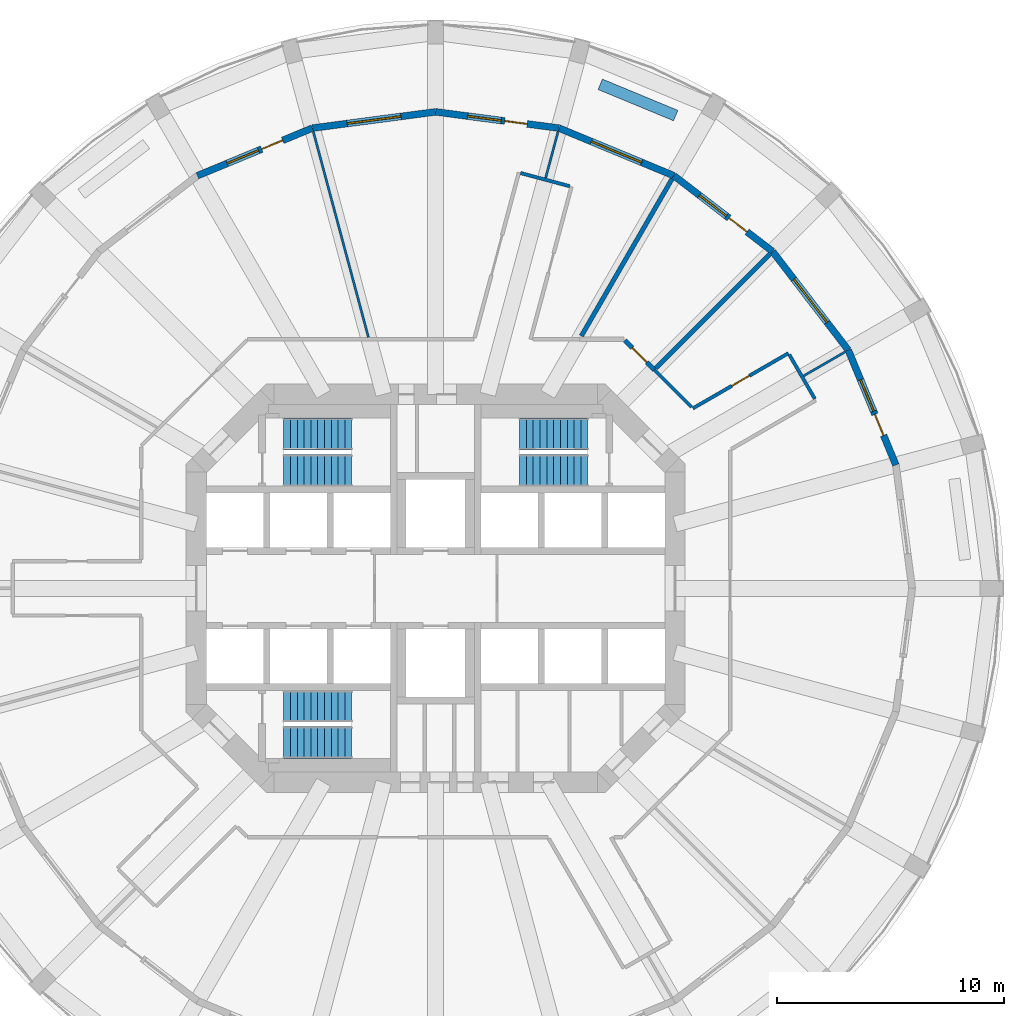
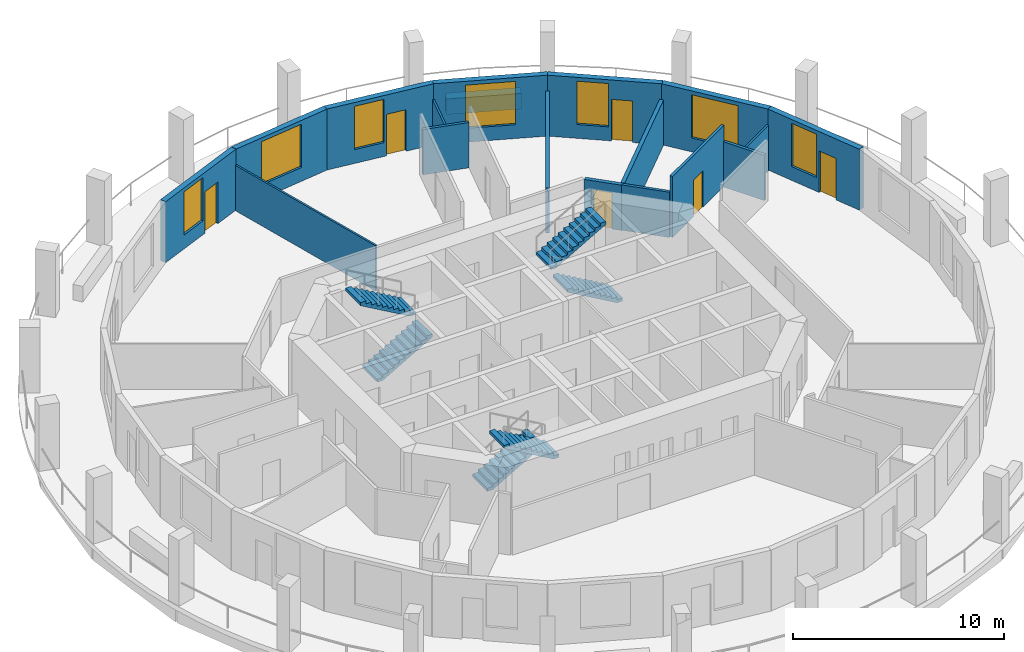
# One storey, part 6 of 8: 18 walls, 7 windows, 6 doors, 6 stair flights, 13 openings, 3 elements without a shape of their own.
"""IFC4 building model written with IfcOpenShell, lengths in metres."""

from ifc_helpers import new_model, si_unit, direction, frame, frame_2d, origin, place, context, subcontext, project, spatial, polyline, rectangle, outline, extrude, material, layer, layer_set, type_object, element, fill, aggregate, save


model = new_model("IFC4")

# Units and contexts
model_context = context("Model", 3, precision=1e-05, world=origin(), true_north=direction((0.0, 1.0)))
body_context = subcontext(model_context, "Body", "Model", "MODEL_VIEW")
ifc_project = project(units=[si_unit("LENGTHUNIT", "METRE"), si_unit("AREAUNIT", "SQUARE_METRE"), si_unit("VOLUMEUNIT", "CUBIC_METRE"), si_unit("PLANEANGLEUNIT", "RADIAN"), si_unit("MASSUNIT", "GRAM", prefix="KILO")], contexts=[model_context])

# Site, building, storey
site_placement = place(None, origin())
site = spatial("IfcSite", under=ifc_project, at=site_placement, CompositionType="ELEMENT")
building_placement = place(site_placement, origin())
building = spatial("IfcBuilding", under=site, at=building_placement, Name="Torre Triforio", CompositionType="ELEMENT")
storey_placement = place(building_placement, frame((0.0, 0.0, 142.800048828125)))
storey = spatial("IfcBuildingStorey", under=building, at=storey_placement, Name="L32", CompositionType="ELEMENT", Elevation=142.800048828125)

# Walls
ifc_material_1 = material(Name="Plasterboard on metal studs")
ifc_layer_1 = layer(ifc_material_1, 0.14990234375)
ifc_layer_set_1 = layer_set([ifc_layer_1], Name="Plasterboard on metal studs")
wall_type_1 = type_object("IfcWallType", Name="Corridor and tenancy wall 150 mm EI 60", PredefinedType="PARTITIONING", material=ifc_layer_set_1)
wall_1_placement = place(storey_placement, frame((3.739990234375, 18.304443359375, 0.0), z_axis=(0.0, 0.0, 1.0), x_axis=(0.965933522054, -0.25879032241, 0.0)))
element("IfcWall", 1, at=wall_1_placement, inside=storey, type_object=wall_type_1, Name="Partition 11", PredefinedType="PARTITIONING", context=body_context, shape_type="SweptSolid", body=[
    extrude(rectangle(XDim=2.25, YDim=0.14990234375, at=frame_2d((1.125, 0.0))), origin(), (0.0, 0.0, 1.0), 2.619873046875),
])
wall_2_placement = place(storey_placement, frame((9.6328125, 9.6328125, 0.0), z_axis=(0.0, 0.0, 1.0), x_axis=(0.707106781187, -0.707106781187, 0.0)))
element("IfcWall", 2, at=wall_2_placement, inside=storey, type_object=wall_type_1, Name="Partition 16", PredefinedType="PARTITIONING", context=body_context, shape_type="SweptSolid", body=[
    extrude(rectangle(XDim=2.33544921875, YDim=0.14990234375, at=frame_2d((1.167724609375, 0.0))), origin(), (0.0, 0.0, 1.0), 2.619873046875),
])

# Wall, opening, door
wall_3_placement = place(storey_placement, frame((11.335693359375, 7.930419921875, 0.0), z_axis=(0.0, 0.0, 1.0), x_axis=(0.866042731792, 0.49996998581, 0.0)))
wall_3 = element("IfcWall", 3, at=wall_3_placement, inside=storey, type_object=wall_type_1, Name="Partition 17", PredefinedType="PARTITIONING", context=body_context, shape_type="SweptSolid", body=[
    extrude(rectangle(XDim=4.866455078125, YDim=0.14990234375, at=frame_2d((2.43310546875, 0.0))), origin(), (0.0, 0.0, 1.0), 3.52001953125),
])
opening_1_placement = place(wall_3_placement, frame((1.9833984375, 0.0, 0.0)))
opening_1 = element("IfcOpeningElement", 4, at=opening_1_placement, cuts=wall_3, Name="Opening D3-10", PredefinedType="OPENING", context=body_context, shape_type="SweptSolid", body=[
    extrude(rectangle(XDim=0.89990234375, YDim=2.10009765625, at=frame_2d((0.449951171875, 1.050048828125))), frame((0.0, 0.0849609375, 0.0), z_axis=(0.0, -1.0, 0.0), x_axis=(1.0, 0.0, 0.0)), (0.0, 0.0, 1.0), 0.169921875),
])
ifc_material_2 = material(Name="Timber", Category="wood")
door_type_1 = type_object("IfcDoorType", Name="Door 900 x 2100 single leaf EI 30", OperationType="NOTDEFINED", PredefinedType="DOOR", material=ifc_material_2)
door_1_placement = place(opening_1_placement, origin())
door_1 = element("IfcDoor", 5, at=door_1_placement, inside=storey, type_object=door_type_1, Name="Door D3-10", OperationType="SINGLE_SWING_LEFT", OverallHeight=2.10009765625, OverallWidth=0.89990234375, PredefinedType="DOOR", context=body_context, shape_type="SweptSolid", body=[
    extrude(rectangle(XDim=0.89990234375, YDim=2.10009765625, at=frame_2d((0.449951171875, 1.050048828125))), frame((0.0, 0.02490234375, 0.0), z_axis=(0.0, -1.0, 0.0), x_axis=(1.0, 0.0, 0.0)), (0.0, 0.0, 1.0), 0.050048828125),
])
fill(opening_1, door_1)

# Walls
wall_4_placement = place(storey_placement, frame((15.587890625, 10.298583984375, 0.0), z_axis=(0.0, 0.0, 1.0), x_axis=(0.500013631625, -0.866017533419, 0.0)))
element("IfcWall", 6, at=wall_4_placement, inside=storey, type_object=wall_type_1, Name="Partition 18", PredefinedType="PARTITIONING", context=body_context, shape_type="SweptSolid", body=[
    extrude(rectangle(XDim=2.25, YDim=0.14990234375, at=frame_2d((1.125, 0.0))), origin(), (0.0, 0.0, 1.0), 2.619873046875),
])
ifc_layer_2 = layer(ifc_material_1, 0.10009765625)
ifc_layer_set_2 = layer_set([ifc_layer_2], Name="Plasterboard on metal studs")
wall_type_2 = type_object("IfcWallType", Name="Partition 100 mm board on metal studs", PredefinedType="PARTITIONING", material=ifc_layer_set_2)
wall_5_placement = place(storey_placement, frame((16.215087890625, 9.36181640625, 0.0), z_axis=(0.0, 0.0, 1.0), x_axis=(0.866016279763, 0.500015802937, 0.0)))
element("IfcWall", 7, at=wall_5_placement, inside=storey, type_object=wall_type_2, Name="Partition 30", PredefinedType="PARTITIONING", context=body_context, shape_type="SweptSolid", body=[
    extrude(rectangle(XDim=2.11328125, YDim=0.10009765625, at=frame_2d((1.056640625, 0.0))), origin(), (0.0, 0.0, 1.0), 2.619873046875),
])
wall_6_placement = place(storey_placement, frame((4.84619140625, 18.085693359375, 0.0), z_axis=(0.0, 0.0, 1.0), x_axis=(0.258705282257, 0.965956301772, 0.0)))
element("IfcWall", 8, at=wall_6_placement, inside=storey, type_object=wall_type_2, Name="Partition 33", PredefinedType="PARTITIONING", context=body_context, shape_type="SweptSolid", body=[
    extrude(rectangle(XDim=2.113037109375, YDim=0.10009765625, at=frame_2d((1.056640625, 0.0))), origin(), (0.0, 0.0, 1.0), 2.619873046875),
])
wall_7_placement = place(storey_placement, frame((-2.964599609375, 11.064208984375, 0.0), z_axis=(0.0, 0.0, 1.0), x_axis=(-0.258812392192, 0.965927608906, 0.0)))
element("IfcWall", 9, at=wall_7_placement, inside=storey, type_object=wall_type_2, Name="Partition 34", PredefinedType="PARTITIONING", context=body_context, shape_type="SweptSolid", body=[
    extrude(rectangle(XDim=9.382080078125, YDim=0.10009765625, at=frame_2d((4.69091796875, 0.0))), origin(), (0.0, 0.0, 1.0), 2.619873046875),
])

# Wall, opening, door
ifc_material_3 = material(Name="Masonry block", Category="masonry")
ifc_layer_3 = layer(ifc_material_3, 0.199951171875)
ifc_layer_set_3 = layer_set([ifc_layer_3], Name="Masonry block")
wall_type_3 = type_object("IfcWallType", Name="Plant room wall 200 mm block EI 120", PredefinedType="PARTITIONING", material=ifc_layer_set_3)
wall_8_placement = place(storey_placement, frame((8.34033203125, 10.925537109375, 0.0), z_axis=(0.0, 0.0, 1.0), x_axis=(0.707040000549, -0.707173555517, 0.0)))
wall_8 = element("IfcWall", 10, at=wall_8_placement, inside=storey, type_object=wall_type_3, Name="Partition 15", PredefinedType="PARTITIONING", context=body_context, shape_type="SweptSolid", body=[
    extrude(rectangle(XDim=1.828125, YDim=0.199951171875, at=frame_2d((0.9140625, 0.0))), origin(), (0.0, 0.0, 1.0), 2.619873046875),
])
opening_2_placement = place(wall_8_placement, frame((0.464111328125, 0.0, 0.0)))
opening_2 = element("IfcOpeningElement", 11, at=opening_2_placement, cuts=wall_8, Name="Opening D3-11", PredefinedType="OPENING", context=body_context, shape_type="SweptSolid", body=[
    extrude(rectangle(XDim=0.89990234375, YDim=2.10009765625, at=frame_2d((0.449951171875, 1.050048828125))), frame((0.0, 0.10986328125, 0.0), z_axis=(0.0, -1.0, 0.0), x_axis=(1.0, 0.0, 0.0)), (0.0, 0.0, 1.0), 0.219970703125),
])
ifc_material_4 = material(Name="Hollow metal fire door leaf")
door_type_2 = type_object("IfcDoorType", Name="Door 900 x 2100 single leaf EI 60", OperationType="NOTDEFINED", PredefinedType="DOOR", material=ifc_material_4)
door_2_placement = place(opening_2_placement, origin())
door_2 = element("IfcDoor", 12, at=door_2_placement, inside=storey, type_object=door_type_2, Name="Door D3-11", OperationType="SINGLE_SWING_LEFT", OverallHeight=2.10009765625, OverallWidth=0.89990234375, PredefinedType="DOOR", context=body_context, shape_type="SweptSolid", body=[
    extrude(rectangle(XDim=0.89990234375, YDim=2.10009765625, at=frame_2d((0.449951171875, 1.050048828125))), frame((0.0, 0.02490234375, 0.0), z_axis=(0.0, -1.0, 0.0), x_axis=(1.0, 0.0, 0.0)), (0.0, 0.0, 1.0), 0.050048828125),
])
fill(opening_2, door_2)

# Walls
wall_9_placement = place(storey_placement, frame((9.70361328125, 9.70361328125, 0.0), z_axis=(0.0, 0.0, 1.0), x_axis=(0.707106781187, 0.707106781187, 0.0)))
element("IfcWall", 13, at=wall_9_placement, inside=storey, type_object=wall_type_3, Name="Partition 31", PredefinedType="PARTITIONING", context=body_context, shape_type="SweptSolid", body=[
    extrude(rectangle(XDim=7.11376953125, YDim=0.199951171875, at=frame_2d((3.556884765625, 0.0))), origin(), (0.0, 0.0, 1.0), 2.619873046875),
])
wall_10_placement = place(storey_placement, frame((6.422607421875, 11.12451171875, 0.0), z_axis=(0.0, 0.0, 1.0), x_axis=(0.500019519773, 0.866014133745, 0.0)))
element("IfcWall", 14, at=wall_10_placement, inside=storey, type_object=wall_type_3, Name="Partition 32", PredefinedType="PARTITIONING", context=body_context, shape_type="SweptSolid", body=[
    extrude(rectangle(XDim=7.991455078125, YDim=0.199951171875, at=frame_2d((3.99560546875, 0.0))), origin(), (0.0, 0.0, 1.0), 2.619873046875),
])
ifc_material_5 = material(Name="Limestone cladding", Category="masonry")
ifc_layer_4 = layer(ifc_material_5, 0.10009765625)
ifc_material_6 = material(Name="Concrete C40", Category="concrete")
ifc_layer_5 = layer(ifc_material_6, 0.39990234375)
ifc_layer_set_4 = layer_set([ifc_layer_4, ifc_layer_5], Name="Limestone cladding / Concrete C40")
wall_type_4 = type_object("IfcWallType", Name="Planter wall 500", PredefinedType="PARAPET", material=ifc_layer_set_4)
wall_11_placement = place(storey_placement, frame((10.57958984375, 20.837646484375, 0.0), z_axis=(0.0, 0.0, 1.0), x_axis=(-0.923909393783, 0.382611332921, 0.0)))
element("IfcWall", 15, at=wall_11_placement, inside=storey, type_object=wall_type_4, Name="Planter L32 bay 05", PredefinedType="PARAPET", context=body_context, shape_type="SweptSolid", body=[
    extrude(rectangle(XDim=3.60009765625, YDim=0.5, at=frame_2d((1.800048828125, 0.0))), origin(), (0.0, 0.0, 1.0), 0.89990234375),
])

# Wall, openings, door, window
ifc_layer_6 = layer(ifc_material_5, 0.10009765625)
ifc_layer_7 = layer(ifc_material_6, 0.199951171875)
ifc_layer_set_5 = layer_set([ifc_layer_6, ifc_layer_7], Name="Limestone cladding / Concrete C40")
wall_type_5 = type_object("IfcWallType", Name="Stone-faced composite wall 300", PredefinedType="STANDARD", material=ifc_layer_set_5)
wall_12_placement = place(storey_placement, frame((20.284423828125, 5.435302734375, 0.0), z_axis=(0.0, 0.0, 1.0), x_axis=(-0.382688740813, 0.923877333662, 0.0)))
wall_12 = element("IfcWall", 16, at=wall_12_placement, inside=storey, type_object=wall_type_5, Name="External wall L32 bay 02", PredefinedType="STANDARD", context=body_context, shape_type="SweptSolid", body=[
    extrude(rectangle(XDim=5.48193359375, YDim=0.300048828125, at=frame_2d((2.740966796875, 0.0))), origin(), (0.0, 0.0, 1.0), 3.52001953125),
])
opening_3_placement = place(wall_12_placement, frame((1.416015625, 0.0, 0.0)))
opening_3 = element("IfcOpeningElement", 17, at=opening_3_placement, cuts=wall_12, Name="Opening D3-D02", PredefinedType="OPENING", context=body_context, shape_type="SweptSolid", body=[
    extrude(rectangle(XDim=1.0, YDim=2.39990234375, at=frame_2d((0.5, 1.199951171875))), frame((0.0, 0.159912109375, 0.0), z_axis=(0.0, -1.0, 0.0), x_axis=(1.0, 0.0, 0.0)), (0.0, 0.0, 1.0), 0.320068359375),
])
opening_4_placement = place(wall_12_placement, frame((2.566162109375, 0.0, 0.800048828125)))
opening_4 = element("IfcOpeningElement", 18, at=opening_4_placement, cuts=wall_12, Name="Opening D3-W02A", PredefinedType="OPENING", context=body_context, shape_type="SweptSolid", body=[
    extrude(rectangle(XDim=1.5, YDim=2.5, at=frame_2d((0.75, 1.25))), frame((0.0, 0.159912109375, 0.0), z_axis=(0.0, -1.0, 0.0), x_axis=(1.0, 0.0, 0.0)), (0.0, 0.0, 1.0), 0.320068359375),
])
ifc_material_7 = material(Name="Aluminium frame with clear double glazing", Category="aluminium")
door_type_3 = type_object("IfcDoorType", Name="Loggia door 1000 x 2400", OperationType="NOTDEFINED", PredefinedType="DOOR", material=ifc_material_7)
door_3_placement = place(opening_3_placement, origin())
door_3 = element("IfcDoor", 19, at=door_3_placement, inside=storey, type_object=door_type_3, Name="Loggia door L32 bay 02", OperationType="SINGLE_SWING_LEFT", OverallHeight=2.39990234375, OverallWidth=1.0, PredefinedType="DOOR", context=body_context, shape_type="SweptSolid", body=[
    extrude(rectangle(XDim=1.0, YDim=2.39990234375, at=frame_2d((0.5, 1.199951171875))), frame((0.0, 0.02490234375, 0.0), z_axis=(0.0, -1.0, 0.0), x_axis=(1.0, 0.0, 0.0)), (0.0, 0.0, 1.0), 0.050048828125),
])
fill(opening_3, door_3)
window_type_1 = type_object("IfcWindowType", Name="Side window 1500 x 2500", PartitioningType="SINGLE_PANEL", PredefinedType="WINDOW", material=ifc_material_7)
window_1_placement = place(opening_4_placement, origin())
window_1 = element("IfcWindow", 20, at=window_1_placement, inside=storey, type_object=window_type_1, Name="Side window EWN13 L32 bay 02", OverallHeight=2.5, OverallWidth=1.5, PartitioningType="SINGLE_PANEL", PredefinedType="WINDOW", context=body_context, shape_type="SweptSolid", body=[
    extrude(rectangle(XDim=1.5, YDim=2.5, at=frame_2d((0.75, 1.25))), frame((0.0, 0.030029296875, 0.0), z_axis=(0.0, -1.0, 0.0), x_axis=(1.0, 0.0, 0.0)), (0.0, 0.0, 1.0), 0.06005859375),
])
fill(opening_4, window_1)

# Wall, opening, window
wall_13_placement = place(storey_placement, frame((18.1865234375, 10.5, 0.0), z_axis=(0.0, 0.0, 1.0), x_axis=(-0.608784891166, 0.793335336593, 0.0)))
wall_13 = element("IfcWall", 21, at=wall_13_placement, inside=storey, type_object=wall_type_5, Name="External wall L32 bay 03", PredefinedType="STANDARD", context=body_context, shape_type="SweptSolid", body=[
    extrude(rectangle(XDim=5.482177734375, YDim=0.300048828125, at=frame_2d((2.7412109375, 0.0))), origin(), (0.0, 0.0, 1.0), 3.52001953125),
])
opening_5_placement = place(wall_13_placement, frame((1.541015625, 0.0, 0.800048828125)))
opening_5 = element("IfcOpeningElement", 22, at=opening_5_placement, cuts=wall_13, Name="Opening D3-W03", PredefinedType="OPENING", context=body_context, shape_type="SweptSolid", body=[
    extrude(rectangle(XDim=2.39990234375, YDim=2.5, at=frame_2d((1.199951171875, 1.25))), frame((0.0, 0.159912109375, 0.0), z_axis=(0.0, -1.0, 0.0), x_axis=(1.0, 0.0, 0.0)), (0.0, 0.0, 1.0), 0.320068359375),
])
window_type_2 = type_object("IfcWindowType", Name="Punched window 2400 x 2500", PartitioningType="DOUBLE_PANEL_VERTICAL", PredefinedType="WINDOW", material=ifc_material_7)
window_2_placement = place(opening_5_placement, origin())
window_2 = element("IfcWindow", 23, at=window_2_placement, inside=storey, type_object=window_type_2, Name="Window EWN3 L32 bay 03", OverallHeight=2.5, OverallWidth=2.39990234375, PartitioningType="SINGLE_PANEL", PredefinedType="WINDOW", context=body_context, shape_type="SweptSolid", body=[
    extrude(rectangle(XDim=2.39990234375, YDim=2.5, at=frame_2d((1.199951171875, 1.25))), frame((0.0, 0.030029296875, 0.0), z_axis=(0.0, -1.0, 0.0), x_axis=(1.0, 0.0, 0.0)), (0.0, 0.0, 1.0), 0.06005859375),
])
fill(opening_5, window_2)

# Wall, openings, door, window
wall_14_placement = place(storey_placement, frame((14.84912109375, 14.84912109375, 0.0), z_axis=(0.0, 0.0, 1.0), x_axis=(-0.793335336593, 0.608784891166, 0.0)))
wall_14 = element("IfcWall", 24, at=wall_14_placement, inside=storey, type_object=wall_type_5, Name="External wall L32 bay 04", PredefinedType="STANDARD", context=body_context, shape_type="SweptSolid", body=[
    extrude(rectangle(XDim=5.482177734375, YDim=0.300048828125, at=frame_2d((2.7412109375, 0.0))), origin(), (0.0, 0.0, 1.0), 3.52001953125),
])
opening_6_placement = place(wall_14_placement, frame((1.416015625, 0.0, 0.0)))
opening_6 = element("IfcOpeningElement", 25, at=opening_6_placement, cuts=wall_14, Name="Opening D3-D04", PredefinedType="OPENING", context=body_context, shape_type="SweptSolid", body=[
    extrude(rectangle(XDim=1.0, YDim=2.39990234375, at=frame_2d((0.5, 1.199951171875))), frame((0.0, 0.159912109375, 0.0), z_axis=(0.0, -1.0, 0.0), x_axis=(1.0, 0.0, 0.0)), (0.0, 0.0, 1.0), 0.320068359375),
])
opening_7_placement = place(wall_14_placement, frame((2.56591796875, 0.0, 0.800048828125)))
opening_7 = element("IfcOpeningElement", 26, at=opening_7_placement, cuts=wall_14, Name="Opening D3-W04A", PredefinedType="OPENING", context=body_context, shape_type="SweptSolid", body=[
    extrude(rectangle(XDim=1.5, YDim=2.5, at=frame_2d((0.75, 1.25))), frame((0.0, 0.159912109375, 0.0), z_axis=(0.0, -1.0, 0.0), x_axis=(1.0, 0.0, 0.0)), (0.0, 0.0, 1.0), 0.320068359375),
])
door_4_placement = place(opening_6_placement, origin())
door_4 = element("IfcDoor", 27, at=door_4_placement, inside=storey, type_object=door_type_3, Name="Loggia door L32 bay 04", OperationType="SINGLE_SWING_LEFT", OverallHeight=2.39990234375, OverallWidth=1.0, PredefinedType="DOOR", context=body_context, shape_type="SweptSolid", body=[
    extrude(rectangle(XDim=1.0, YDim=2.39990234375, at=frame_2d((0.5, 1.199951171875))), frame((0.0, 0.02490234375, 0.0), z_axis=(0.0, -1.0, 0.0), x_axis=(1.0, 0.0, 0.0)), (0.0, 0.0, 1.0), 0.050048828125),
])
fill(opening_6, door_4)
window_3_placement = place(opening_7_placement, origin())
window_3 = element("IfcWindow", 28, at=window_3_placement, inside=storey, type_object=window_type_1, Name="Side window EWN13 L32 bay 04", OverallHeight=2.5, OverallWidth=1.5, PartitioningType="SINGLE_PANEL", PredefinedType="WINDOW", context=body_context, shape_type="SweptSolid", body=[
    extrude(rectangle(XDim=1.5, YDim=2.5, at=frame_2d((0.75, 1.25))), frame((0.0, 0.030029296875, 0.0), z_axis=(0.0, -1.0, 0.0), x_axis=(1.0, 0.0, 0.0)), (0.0, 0.0, 1.0), 0.06005859375),
])
fill(opening_7, window_3)

# Wall, opening, window
wall_15_placement = place(storey_placement, frame((10.5, 18.1865234375, 0.0), z_axis=(0.0, 0.0, 1.0), x_axis=(-0.923877333662, 0.382688740813, 0.0)))
wall_15 = element("IfcWall", 29, at=wall_15_placement, inside=storey, type_object=wall_type_5, Name="External wall L32 bay 05", PredefinedType="STANDARD", context=body_context, shape_type="SweptSolid", body=[
    extrude(rectangle(XDim=5.48193359375, YDim=0.300048828125, at=frame_2d((2.740966796875, 0.0))), origin(), (0.0, 0.0, 1.0), 3.52001953125),
])
opening_8_placement = place(wall_15_placement, frame((1.541015625, 0.0, 0.800048828125)))
opening_8 = element("IfcOpeningElement", 30, at=opening_8_placement, cuts=wall_15, Name="Opening D3-W05", PredefinedType="OPENING", context=body_context, shape_type="SweptSolid", body=[
    extrude(rectangle(XDim=2.39990234375, YDim=2.5, at=frame_2d((1.199951171875, 1.25))), frame((0.0, 0.159912109375, 0.0), z_axis=(0.0, -1.0, 0.0), x_axis=(1.0, 0.0, 0.0)), (0.0, 0.0, 1.0), 0.320068359375),
])
window_4_placement = place(opening_8_placement, origin())
window_4 = element("IfcWindow", 31, at=window_4_placement, inside=storey, type_object=window_type_2, Name="Window EWN3 L32 bay 05", OverallHeight=2.5, OverallWidth=2.39990234375, PartitioningType="SINGLE_PANEL", PredefinedType="WINDOW", context=body_context, shape_type="SweptSolid", body=[
    extrude(rectangle(XDim=2.39990234375, YDim=2.5, at=frame_2d((1.199951171875, 1.25))), frame((0.0, 0.030029296875, 0.0), z_axis=(0.0, -1.0, 0.0), x_axis=(1.0, 0.0, 0.0)), (0.0, 0.0, 1.0), 0.06005859375),
])
fill(opening_8, window_4)

# Wall, openings, door, window
wall_16_placement = place(storey_placement, frame((5.435302734375, 20.284423828125, 0.0), z_axis=(0.0, 0.0, 1.0), x_axis=(-0.991444743541, 0.130527087244, 0.0)))
wall_16 = element("IfcWall", 32, at=wall_16_placement, inside=storey, type_object=wall_type_5, Name="External wall L32 bay 06", PredefinedType="STANDARD", context=body_context, shape_type="SweptSolid", body=[
    extrude(rectangle(XDim=5.482177734375, YDim=0.300048828125, at=frame_2d((2.7412109375, 0.0))), origin(), (0.0, 0.0, 1.0), 3.52001953125),
])
opening_9_placement = place(wall_16_placement, frame((1.416015625, 0.0, 0.0)))
opening_9 = element("IfcOpeningElement", 33, at=opening_9_placement, cuts=wall_16, Name="Opening D3-D06", PredefinedType="OPENING", context=body_context, shape_type="SweptSolid", body=[
    extrude(rectangle(XDim=1.0, YDim=2.39990234375, at=frame_2d((0.5, 1.199951171875))), frame((0.0, 0.159912109375, 0.0), z_axis=(0.0, -1.0, 0.0), x_axis=(1.0, 0.0, 0.0)), (0.0, 0.0, 1.0), 0.320068359375),
])
opening_10_placement = place(wall_16_placement, frame((2.566162109375, 0.0, 0.800048828125)))
opening_10 = element("IfcOpeningElement", 34, at=opening_10_placement, cuts=wall_16, Name="Opening D3-W06A", PredefinedType="OPENING", context=body_context, shape_type="SweptSolid", body=[
    extrude(rectangle(XDim=1.5, YDim=2.5, at=frame_2d((0.75, 1.25))), frame((0.0, 0.159912109375, 0.0), z_axis=(0.0, -1.0, 0.0), x_axis=(1.0, 0.0, 0.0)), (0.0, 0.0, 1.0), 0.320068359375),
])
door_5_placement = place(opening_9_placement, origin())
door_5 = element("IfcDoor", 35, at=door_5_placement, inside=storey, type_object=door_type_3, Name="Loggia door L32 bay 06", OperationType="SINGLE_SWING_LEFT", OverallHeight=2.39990234375, OverallWidth=1.0, PredefinedType="DOOR", context=body_context, shape_type="SweptSolid", body=[
    extrude(rectangle(XDim=1.0, YDim=2.39990234375, at=frame_2d((0.5, 1.199951171875))), frame((0.0, 0.02490234375, 0.0), z_axis=(0.0, -1.0, 0.0), x_axis=(1.0, 0.0, 0.0)), (0.0, 0.0, 1.0), 0.050048828125),
])
fill(opening_9, door_5)
window_5_placement = place(opening_10_placement, origin())
window_5 = element("IfcWindow", 36, at=window_5_placement, inside=storey, type_object=window_type_1, Name="Side window EWN13 L32 bay 06", OverallHeight=2.5, OverallWidth=1.5, PartitioningType="SINGLE_PANEL", PredefinedType="WINDOW", context=body_context, shape_type="SweptSolid", body=[
    extrude(rectangle(XDim=1.5, YDim=2.5, at=frame_2d((0.75, 1.25))), frame((0.0, 0.030029296875, 0.0), z_axis=(0.0, -1.0, 0.0), x_axis=(1.0, 0.0, 0.0)), (0.0, 0.0, 1.0), 0.06005859375),
])
fill(opening_10, window_5)

# Wall, opening, window
wall_17_placement = place(storey_placement, frame((0.0, 21.0, 0.0), z_axis=(0.0, 0.0, 1.0), x_axis=(-0.991444743541, -0.130527087244, 0.0)))
wall_17 = element("IfcWall", 37, at=wall_17_placement, inside=storey, type_object=wall_type_5, Name="External wall L32 bay 07", PredefinedType="STANDARD", context=body_context, shape_type="SweptSolid", body=[
    extrude(rectangle(XDim=5.482177734375, YDim=0.300048828125, at=frame_2d((2.7412109375, 0.0))), origin(), (0.0, 0.0, 1.0), 3.52001953125),
])
opening_11_placement = place(wall_17_placement, frame((1.541015625, 0.0, 0.800048828125)))
opening_11 = element("IfcOpeningElement", 38, at=opening_11_placement, cuts=wall_17, Name="Opening D3-W07", PredefinedType="OPENING", context=body_context, shape_type="SweptSolid", body=[
    extrude(rectangle(XDim=2.39990234375, YDim=2.5, at=frame_2d((1.199951171875, 1.25))), frame((0.0, 0.159912109375, 0.0), z_axis=(0.0, -1.0, 0.0), x_axis=(1.0, 0.0, 0.0)), (0.0, 0.0, 1.0), 0.320068359375),
])
window_6_placement = place(opening_11_placement, origin())
window_6 = element("IfcWindow", 39, at=window_6_placement, inside=storey, type_object=window_type_2, Name="Window EWN3 L32 bay 07", OverallHeight=2.5, OverallWidth=2.39990234375, PartitioningType="SINGLE_PANEL", PredefinedType="WINDOW", context=body_context, shape_type="SweptSolid", body=[
    extrude(rectangle(XDim=2.39990234375, YDim=2.5, at=frame_2d((1.199951171875, 1.25))), frame((0.0, 0.030029296875, 0.0), z_axis=(0.0, -1.0, 0.0), x_axis=(1.0, 0.0, 0.0)), (0.0, 0.0, 1.0), 0.06005859375),
])
fill(opening_11, window_6)

# Wall, openings, door, window
wall_18_placement = place(storey_placement, frame((-5.435302734375, 20.284423828125, 0.0), z_axis=(0.0, 0.0, 1.0), x_axis=(-0.923877333662, -0.382688740813, 0.0)))
wall_18 = element("IfcWall", 40, at=wall_18_placement, inside=storey, type_object=wall_type_5, Name="External wall L32 bay 08", PredefinedType="STANDARD", context=body_context, shape_type="SweptSolid", body=[
    extrude(rectangle(XDim=5.48193359375, YDim=0.300048828125, at=frame_2d((2.740966796875, 0.0))), origin(), (0.0, 0.0, 1.0), 3.52001953125),
])
opening_12_placement = place(wall_18_placement, frame((1.416015625, 0.0, 0.0)))
opening_12 = element("IfcOpeningElement", 41, at=opening_12_placement, cuts=wall_18, Name="Opening D3-D08", PredefinedType="OPENING", context=body_context, shape_type="SweptSolid", body=[
    extrude(rectangle(XDim=1.0, YDim=2.39990234375, at=frame_2d((0.5, 1.199951171875))), frame((0.0, 0.159912109375, 0.0), z_axis=(0.0, -1.0, 0.0), x_axis=(1.0, 0.0, 0.0)), (0.0, 0.0, 1.0), 0.320068359375),
])
opening_13_placement = place(wall_18_placement, frame((2.566162109375, 0.0, 0.800048828125)))
opening_13 = element("IfcOpeningElement", 42, at=opening_13_placement, cuts=wall_18, Name="Opening D3-W08A", PredefinedType="OPENING", context=body_context, shape_type="SweptSolid", body=[
    extrude(rectangle(XDim=1.5, YDim=2.5, at=frame_2d((0.75, 1.25))), frame((0.0, 0.159912109375, 0.0), z_axis=(0.0, -1.0, 0.0), x_axis=(1.0, 0.0, 0.0)), (0.0, 0.0, 1.0), 0.320068359375),
])
door_6_placement = place(opening_12_placement, origin())
door_6 = element("IfcDoor", 43, at=door_6_placement, inside=storey, type_object=door_type_3, Name="Loggia door L32 bay 08", OperationType="SINGLE_SWING_LEFT", OverallHeight=2.39990234375, OverallWidth=1.0, PredefinedType="DOOR", context=body_context, shape_type="SweptSolid", body=[
    extrude(rectangle(XDim=1.0, YDim=2.39990234375, at=frame_2d((0.5, 1.199951171875))), frame((0.0, 0.02490234375, 0.0), z_axis=(0.0, -1.0, 0.0), x_axis=(1.0, 0.0, 0.0)), (0.0, 0.0, 1.0), 0.050048828125),
])
fill(opening_12, door_6)
window_7_placement = place(opening_13_placement, origin())
window_7 = element("IfcWindow", 44, at=window_7_placement, inside=storey, type_object=window_type_1, Name="Side window EWN13 L32 bay 08", OverallHeight=2.5, OverallWidth=1.5, PartitioningType="SINGLE_PANEL", PredefinedType="WINDOW", context=body_context, shape_type="SweptSolid", body=[
    extrude(rectangle(XDim=1.5, YDim=2.5, at=frame_2d((0.75, 1.25))), frame((0.0, 0.030029296875, 0.0), z_axis=(0.0, -1.0, 0.0), x_axis=(1.0, 0.0, 0.0)), (0.0, 0.0, 1.0), 0.06005859375),
])
fill(opening_13, window_7)

# Stair, stair flights
stair_type = type_object("IfcStairType", Name="STAIR HALF-TURN", PredefinedType="HALF_TURN_STAIR", material=ifc_material_6)
stair_1_placement = place(storey_placement, origin())
stair_1 = element("IfcStair", 45, at=stair_1_placement, inside=storey, type_object=stair_type, Name="Exit stair 1", PredefinedType="HALF_TURN_STAIR")
stair_flight_type = type_object("IfcStairFlightType", Name="STAIR FLIGHT 1400", PredefinedType="STRAIGHT", material=ifc_material_6)
stair_flight_1_placement = place(storey_placement, frame((-6.699951171875, 5.199951171875, 0.0), z_axis=(0.0, 0.0, 1.0), x_axis=(1.0, 0.0, 0.0)))
stair_flight_1 = element("IfcStairFlight", 46, at=stair_flight_1_placement, type_object=stair_flight_type, Name="ST1 flight 1", NumberOfRisers=11, NumberOfTreads=10, PredefinedType="STRAIGHT", RiserHeight=0.172727273, TreadLength=0.3, context=body_context, shape_type="SweptSolid", body=[
    extrude(outline(polyline([(0.0, 0.0), (0.0, 0.172607421875), (0.300048828125, 0.172607421875), (0.300048828125, 0.345458984375), (0.60009765625, 0.345458984375), (0.60009765625, 0.51806640625), (0.89990234375, 0.51806640625), (0.89990234375, 0.69091796875), (1.199951171875, 0.69091796875), (1.199951171875, 0.863525390625), (1.5, 0.863525390625), (1.5, 1.036376953125), (1.800048828125, 1.036376953125), (1.800048828125, 1.208984375), (2.10009765625, 1.208984375), (2.10009765625, 1.3818359375), (2.39990234375, 1.3818359375), (2.39990234375, 1.554443359375), (2.699951171875, 1.554443359375), (2.699951171875, 1.727294921875), (3.0, 1.727294921875), (3.0, 1.89990234375), (3.0, 1.55419921875), (0.300537109375, 0.0), (0.0, 0.0)])), frame((0.0, 0.699951171875, 0.0), z_axis=(0.0, -1.0, 0.0), x_axis=(1.0, 0.0, 0.0)), (0.0, 0.0, 1.0), 1.39990234375),
])
stair_flight_2_placement = place(storey_placement, frame((-3.699951171875, 6.800048828125, 1.89990234375), z_axis=(0.0, 0.0, 1.0), x_axis=(-1.0, 0.0, 0.0)))
stair_flight_2 = element("IfcStairFlight", 47, at=stair_flight_2_placement, type_object=stair_flight_type, Name="ST1 flight 2", NumberOfRisers=11, NumberOfTreads=10, PredefinedType="STRAIGHT", RiserHeight=0.172727273, TreadLength=0.3, context=body_context, shape_type="SweptSolid", body=[
    extrude(outline(polyline([(0.0, 0.0), (0.0, 0.172607421875), (0.300048828125, 0.172607421875), (0.300048828125, 0.345458984375), (0.60009765625, 0.345458984375), (0.60009765625, 0.51806640625), (0.89990234375, 0.51806640625), (0.89990234375, 0.69091796875), (1.199951171875, 0.69091796875), (1.199951171875, 0.863525390625), (1.5, 0.863525390625), (1.5, 1.036376953125), (1.800048828125, 1.036376953125), (1.800048828125, 1.208984375), (2.10009765625, 1.208984375), (2.10009765625, 1.3818359375), (2.39990234375, 1.3818359375), (2.39990234375, 1.554443359375), (2.699951171875, 1.554443359375), (2.699951171875, 1.727294921875), (3.0, 1.727294921875), (3.0, 1.89990234375), (3.0, 1.55419921875), (0.300537109375, 0.0), (0.0, 0.0)])), frame((0.0, 0.699951171875, 0.0), z_axis=(0.0, -1.0, 0.0), x_axis=(1.0, 0.0, 0.0)), (0.0, 0.0, 1.0), 1.39990234375),
])
aggregate(stair_1, [stair_flight_1, stair_flight_2])

stair_2_placement = place(storey_placement, origin())
stair_2 = element("IfcStair", 48, at=stair_2_placement, inside=storey, type_object=stair_type, Name="Exit stair 2", PredefinedType="HALF_TURN_STAIR")
stair_flight_3_placement = place(storey_placement, frame((6.699951171875, 5.199951171875, 0.0), z_axis=(0.0, 0.0, 1.0), x_axis=(-1.0, 0.0, 0.0)))
stair_flight_3 = element("IfcStairFlight", 49, at=stair_flight_3_placement, type_object=stair_flight_type, Name="ST2 flight 1", NumberOfRisers=11, NumberOfTreads=10, PredefinedType="STRAIGHT", RiserHeight=0.172727273, TreadLength=0.3, context=body_context, shape_type="SweptSolid", body=[
    extrude(outline(polyline([(0.0, 0.0), (0.0, 0.172607421875), (0.300048828125, 0.172607421875), (0.300048828125, 0.345458984375), (0.60009765625, 0.345458984375), (0.60009765625, 0.51806640625), (0.89990234375, 0.51806640625), (0.89990234375, 0.69091796875), (1.199951171875, 0.69091796875), (1.199951171875, 0.863525390625), (1.5, 0.863525390625), (1.5, 1.036376953125), (1.800048828125, 1.036376953125), (1.800048828125, 1.208984375), (2.10009765625, 1.208984375), (2.10009765625, 1.3818359375), (2.39990234375, 1.3818359375), (2.39990234375, 1.554443359375), (2.699951171875, 1.554443359375), (2.699951171875, 1.727294921875), (3.0, 1.727294921875), (3.0, 1.89990234375), (3.0, 1.55419921875), (0.300537109375, 0.0), (0.0, 0.0)])), frame((0.0, 0.699951171875, 0.0), z_axis=(0.0, -1.0, 0.0), x_axis=(1.0, 0.0, 0.0)), (0.0, 0.0, 1.0), 1.39990234375),
])
stair_flight_4_placement = place(storey_placement, frame((3.699951171875, 6.800048828125, 1.89990234375), z_axis=(0.0, 0.0, 1.0), x_axis=(1.0, 0.0, 0.0)))
stair_flight_4 = element("IfcStairFlight", 50, at=stair_flight_4_placement, type_object=stair_flight_type, Name="ST2 flight 2", NumberOfRisers=11, NumberOfTreads=10, PredefinedType="STRAIGHT", RiserHeight=0.172727273, TreadLength=0.3, context=body_context, shape_type="SweptSolid", body=[
    extrude(outline(polyline([(0.0, 0.0), (0.0, 0.172607421875), (0.300048828125, 0.172607421875), (0.300048828125, 0.345458984375), (0.60009765625, 0.345458984375), (0.60009765625, 0.51806640625), (0.89990234375, 0.51806640625), (0.89990234375, 0.69091796875), (1.199951171875, 0.69091796875), (1.199951171875, 0.863525390625), (1.5, 0.863525390625), (1.5, 1.036376953125), (1.800048828125, 1.036376953125), (1.800048828125, 1.208984375), (2.10009765625, 1.208984375), (2.10009765625, 1.3818359375), (2.39990234375, 1.3818359375), (2.39990234375, 1.554443359375), (2.699951171875, 1.554443359375), (2.699951171875, 1.727294921875), (3.0, 1.727294921875), (3.0, 1.89990234375), (3.0, 1.55419921875), (0.300537109375, 0.0), (0.0, 0.0)])), frame((0.0, 0.699951171875, 0.0), z_axis=(0.0, -1.0, 0.0), x_axis=(1.0, 0.0, 0.0)), (0.0, 0.0, 1.0), 1.39990234375),
])
aggregate(stair_2, [stair_flight_3, stair_flight_4])

stair_3_placement = place(storey_placement, origin())
stair_3 = element("IfcStair", 51, at=stair_3_placement, inside=storey, type_object=stair_type, Name="Exit stair 3", PredefinedType="HALF_TURN_STAIR")
stair_flight_5_placement = place(storey_placement, frame((-6.699951171875, -5.199951171875, 0.0), z_axis=(0.0, 0.0, 1.0), x_axis=(1.0, 0.0, 0.0)))
stair_flight_5 = element("IfcStairFlight", 52, at=stair_flight_5_placement, type_object=stair_flight_type, Name="ST3 flight 1", NumberOfRisers=11, NumberOfTreads=10, PredefinedType="STRAIGHT", RiserHeight=0.172727273, TreadLength=0.3, context=body_context, shape_type="SweptSolid", body=[
    extrude(outline(polyline([(0.0, 0.0), (0.0, 0.172607421875), (0.300048828125, 0.172607421875), (0.300048828125, 0.345458984375), (0.60009765625, 0.345458984375), (0.60009765625, 0.51806640625), (0.89990234375, 0.51806640625), (0.89990234375, 0.69091796875), (1.199951171875, 0.69091796875), (1.199951171875, 0.863525390625), (1.5, 0.863525390625), (1.5, 1.036376953125), (1.800048828125, 1.036376953125), (1.800048828125, 1.208984375), (2.10009765625, 1.208984375), (2.10009765625, 1.3818359375), (2.39990234375, 1.3818359375), (2.39990234375, 1.554443359375), (2.699951171875, 1.554443359375), (2.699951171875, 1.727294921875), (3.0, 1.727294921875), (3.0, 1.89990234375), (3.0, 1.55419921875), (0.300537109375, 0.0), (0.0, 0.0)])), frame((0.0, 0.699951171875, 0.0), z_axis=(0.0, -1.0, 0.0), x_axis=(1.0, 0.0, 0.0)), (0.0, 0.0, 1.0), 1.39990234375),
])
stair_flight_6_placement = place(storey_placement, frame((-3.699951171875, -6.800048828125, 1.89990234375), z_axis=(0.0, 0.0, 1.0), x_axis=(-1.0, 0.0, 0.0)))
stair_flight_6 = element("IfcStairFlight", 53, at=stair_flight_6_placement, type_object=stair_flight_type, Name="ST3 flight 2", NumberOfRisers=11, NumberOfTreads=10, PredefinedType="STRAIGHT", RiserHeight=0.172727273, TreadLength=0.3, context=body_context, shape_type="SweptSolid", body=[
    extrude(outline(polyline([(0.0, 0.0), (0.0, 0.172607421875), (0.300048828125, 0.172607421875), (0.300048828125, 0.345458984375), (0.60009765625, 0.345458984375), (0.60009765625, 0.51806640625), (0.89990234375, 0.51806640625), (0.89990234375, 0.69091796875), (1.199951171875, 0.69091796875), (1.199951171875, 0.863525390625), (1.5, 0.863525390625), (1.5, 1.036376953125), (1.800048828125, 1.036376953125), (1.800048828125, 1.208984375), (2.10009765625, 1.208984375), (2.10009765625, 1.3818359375), (2.39990234375, 1.3818359375), (2.39990234375, 1.554443359375), (2.699951171875, 1.554443359375), (2.699951171875, 1.727294921875), (3.0, 1.727294921875), (3.0, 1.89990234375), (3.0, 1.55419921875), (0.300537109375, 0.0), (0.0, 0.0)])), frame((0.0, 0.699951171875, 0.0), z_axis=(0.0, -1.0, 0.0), x_axis=(1.0, 0.0, 0.0)), (0.0, 0.0, 1.0), 1.39990234375),
])
aggregate(stair_3, [stair_flight_5, stair_flight_6])

save(model, "model.ifc")
